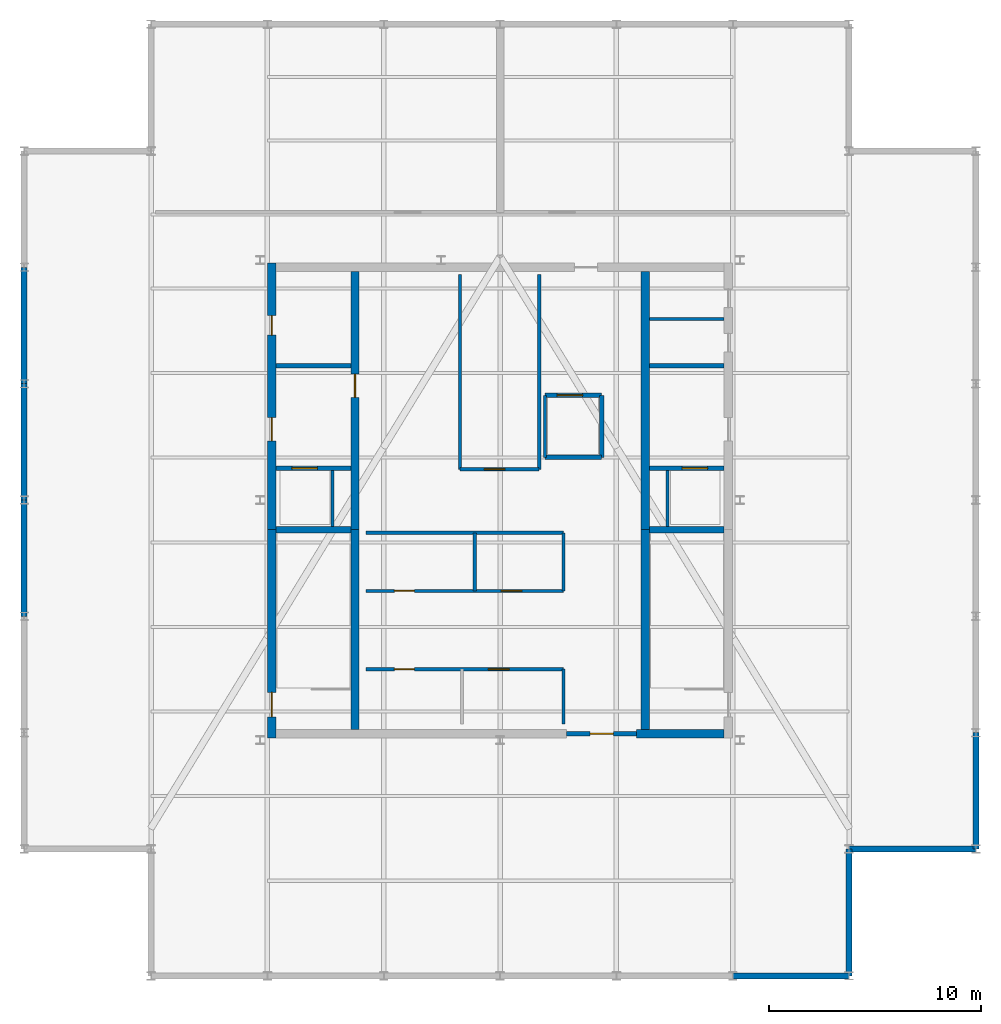
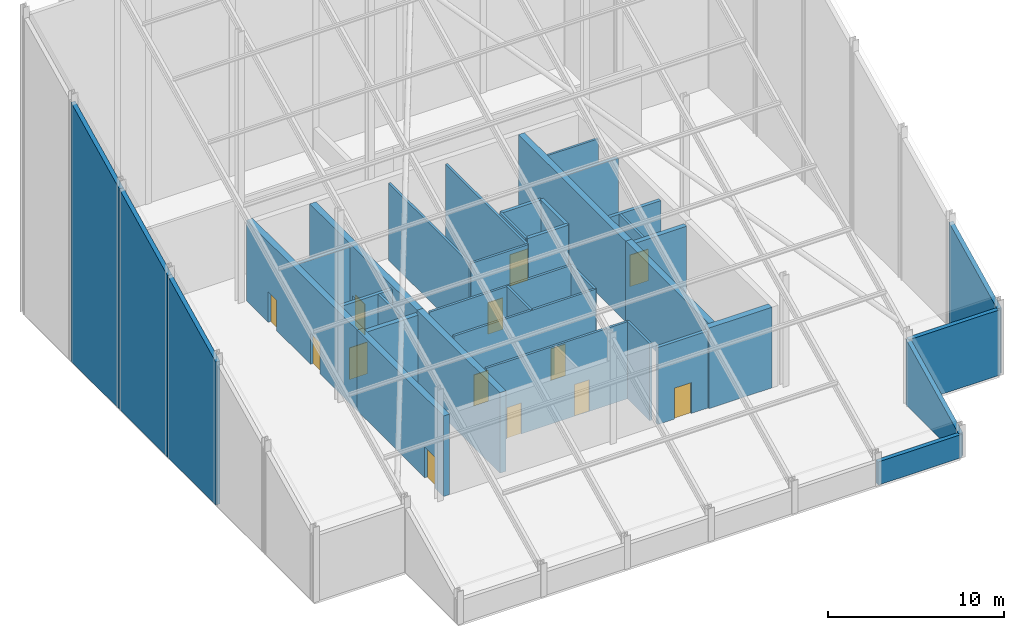
# One storey, part 2 of 4: 37 walls, 13 doors, 13 openings.
"""IFC4 building model written with IfcOpenShell, lengths in metres."""

import ifcopenshell
import ifcopenshell.guid

model = None  # the IFC model being written
_history = None  # IfcOwnerHistory: only IFC2X3 demands one
_inside = {}  # id of a spatial element -> (the spatial element, [elements in it])
_under = {}  # id of a project, library or spatial element -> (it, [spatial elements below it])
_declared = {}  # id of a project -> (the project, [libraries it declares])
_typed = {}  # id of a type object -> (the type object, [elements of that type])
_made_of = {}  # id of a material, layer set ... -> (it, [elements and type objects made of it])


def new_model(schema):
    """Start an empty IFC model of exactly this schema.

    Asked for "IFC4X3", IfcOpenShell would pick the latest addendum, in which some entities
    have other attributes; the version numbers below select the first issue.
    IFC2X3 requires an IfcOwnerHistory on every rooted entity: one is made here for all.
    """
    global model, _history
    if schema == "IFC4X3":
        model = ifcopenshell.file(schema_version=(4, 3, 0, 0))
    else:
        model = ifcopenshell.file(schema=schema)
    _inside.clear()
    _under.clear()
    _declared.clear()
    _typed.clear()
    _made_of.clear()
    _history = None
    if model.schema == "IFC2X3":
        org = make("IfcOrganization", Name="unknown")
        user = make(
            "IfcPersonAndOrganization",
            ThePerson=make("IfcPerson", FamilyName="unknown"),
            TheOrganization=org,
        )
        app = make(
            "IfcApplication",
            ApplicationDeveloper=org,
            Version="unknown",
            ApplicationFullName="unknown",
            ApplicationIdentifier="unknown",
        )
        _history = make(
            "IfcOwnerHistory",
            OwningUser=user,
            OwningApplication=app,
            ChangeAction="ADDED",
            CreationDate=0,
        )
    return model


def make(cls, **values):
    """One entity of the class cls with the attributes given. An attribute that is None is left unset."""
    return model.create_entity(
        cls, **{name: value for name, value in values.items() if value is not None}
    )


def rooted(cls, **values):
    """An entity with a GlobalId (a new one), such as an element, a storey or a relation."""
    return make(cls, GlobalId=ifcopenshell.guid.new(), OwnerHistory=_history, **values)


def si_unit(unit_type, name, prefix=None):
    """IfcSIUnit, for example si_unit("LENGTHUNIT", "METRE", prefix="MILLI")."""
    return make("IfcSIUnit", UnitType=unit_type, Prefix=prefix, Name=name)


def assignment(units):
    """IfcUnitAssignment: the units of a project."""
    return None if units is None else make("IfcUnitAssignment", Units=units)


def point(xyz):
    """IfcCartesianPoint."""
    return None if xyz is None else make("IfcCartesianPoint", Coordinates=xyz)


def direction(xyz):
    """IfcDirection."""
    return None if xyz is None else make("IfcDirection", DirectionRatios=xyz)


def frame(location, z_axis=None, x_axis=None):
    """IfcAxis2Placement3D, a coordinate frame: its origin and axes. An axis left out is left unset."""
    return make(
        "IfcAxis2Placement3D",
        Location=point(location),
        Axis=direction(z_axis),
        RefDirection=direction(x_axis),
    )


def frame_2d(location, x_axis=None):
    """IfcAxis2Placement2D, a coordinate frame in the plane: its origin and x axis."""
    return make(
        "IfcAxis2Placement2D", Location=point(location), RefDirection=direction(x_axis)
    )


def origin():
    """The frame at (0, 0, 0) with its axes left unset."""
    return frame((0.0, 0.0, 0.0))


def place(relative_to, where):
    """IfcLocalPlacement: puts the frame where relative to a parent placement (None: the world)."""
    return make(
        "IfcLocalPlacement", PlacementRelTo=relative_to, RelativePlacement=where
    )


def context(
    kind, dimensions, precision=None, world=None, true_north=None, identifier=None
):
    """IfcGeometricRepresentationContext, for example the 3D "Model" context."""
    return make(
        "IfcGeometricRepresentationContext",
        ContextIdentifier=identifier,
        ContextType=kind,
        CoordinateSpaceDimension=dimensions,
        Precision=precision,
        WorldCoordinateSystem=world,
        TrueNorth=true_north,
    )


def subcontext(parent, identifier, kind, view, scale=None):
    """IfcGeometricRepresentationSubContext, for example "Body" below "Model"."""
    return make(
        "IfcGeometricRepresentationSubContext",
        ContextIdentifier=identifier,
        ContextType=kind,
        ParentContext=parent,
        TargetScale=scale,
        TargetView=view,
    )


def project(units=None, contexts=None):
    """IfcProject with its units and contexts."""
    return rooted(
        "IfcProject",
        Name="project",
        RepresentationContexts=contexts,
        UnitsInContext=assignment(units),
    )


def spatial(cls, under=None, at=None, **own):
    """A site, building, storey or space (cls), placed at a placement, below another one or the project."""
    s = rooted(cls, ObjectPlacement=at, **own)
    if under is not None:
        _under.setdefault(under.id(), (under, []))[1].append(s)
    return s


def polyline(points):
    """IfcPolyline through the points."""
    return make("IfcPolyline", Points=[point(p) for p in points])


def profile(cls, at=None, kind="AREA", **sizes):
    """A parametric profile (cls). Its sizes go by their IFC names, for example OverallWidth=200.0."""
    return make(cls, ProfileType=kind, Position=at, **sizes)


def rectangle(**sizes):
    """IfcRectangleProfileDef."""
    return profile("IfcRectangleProfileDef", **sizes)


def outline(outer, holes=None, kind="AREA"):
    """IfcArbitraryClosedProfileDef: a profile drawn as a closed curve; with holes, ...WithVoids."""
    if holes is None:
        return make("IfcArbitraryClosedProfileDef", ProfileType=kind, OuterCurve=outer)
    return make(
        "IfcArbitraryProfileDefWithVoids",
        ProfileType=kind,
        OuterCurve=outer,
        InnerCurves=holes,
    )


def extrude(swept, where, along, depth):
    """IfcExtrudedAreaSolid: the profile swept, set in the frame where, extruded along a direction by depth."""
    return make(
        "IfcExtrudedAreaSolid",
        SweptArea=swept,
        Position=where,
        ExtrudedDirection=direction(along),
        Depth=depth,
    )


def shape(context_of_items, identifier, shape_type, items):
    """IfcShapeRepresentation: the items that make up one representation, for example the "Body"."""
    return make(
        "IfcShapeRepresentation",
        ContextOfItems=context_of_items,
        RepresentationIdentifier=identifier,
        RepresentationType=shape_type,
        Items=items,
    )


def material(Name=None, Category=None):
    """IfcMaterial."""
    return make("IfcMaterial", Name=Name, Category=Category)


def layer(
    of_material, thickness, ventilated=None, Name=None, Category=None, Priority=None
):
    """IfcMaterialLayer: one layer of a wall or slab, of a material (None: an air gap)."""
    return make(
        "IfcMaterialLayer",
        Material=of_material,
        LayerThickness=thickness,
        IsVentilated=ventilated,
        Name=Name,
        Category=Category,
        Priority=Priority,
    )


def layer_set(layers, Name=None):
    """IfcMaterialLayerSet."""
    return make("IfcMaterialLayerSet", MaterialLayers=layers, LayerSetName=Name)


def made_of(thing, what):
    """Note that an element or type object is made of a material, layer set ...; save() writes the relation."""
    if what is not None:
        _made_of.setdefault(what.id(), (what, []))[1].append(thing)
    return thing


def type_object(cls, material=None, **own):
    """A type object (cls), such as IfcWallType, which elements share."""
    return made_of(rooted(cls, **own), material)


def element(
    cls,
    number,
    at=None,
    inside=None,
    cuts=None,
    type_object=None,
    material=None,
    context=None,
    identifier="Body",
    shape_type=None,
    held_by="IfcProductDefinitionShape",
    body=None,
    shapes=None,
    **own,
):
    """One element of the class cls, such as IfcWall. Its Tag is "e" and its number.

    at: its placement. inside: the storey or other place that contains it. cuts: it is an
    opening in that element (IfcRelVoidsElement). A single representation is given by context,
    identifier, shape_type and body (its items); several are given by shapes. held_by: the class
    of the entity that holds the representations. save() writes the other relations.
    """
    e = rooted(cls, Tag="e%d" % number, ObjectPlacement=at, **own)
    if body is not None:
        shapes = [shape(context, identifier, shape_type, body)]
    if shapes is not None:
        e.Representation = make(held_by, Representations=shapes)
    if inside is not None:
        _inside.setdefault(inside.id(), (inside, []))[1].append(e)
    if cuts is not None:
        rooted(
            "IfcRelVoidsElement", RelatingBuildingElement=cuts, RelatedOpeningElement=e
        )
    if type_object is not None:
        _typed.setdefault(type_object.id(), (type_object, []))[1].append(e)
    return made_of(e, material)


def fill(opening, filler):
    """IfcRelFillsElement: the door or window that sits in an opening."""
    return rooted(
        "IfcRelFillsElement",
        RelatingOpeningElement=opening,
        RelatedBuildingElement=filler,
    )


def aggregate(whole, parts):
    """IfcRelAggregates: a whole, such as a stair, and the parts it consists of."""
    return rooted("IfcRelAggregates", RelatingObject=whole, RelatedObjects=parts)


def save(model, path):
    """Write the relations noted so far, then the file.

    IfcRelAggregates (storeys below a building ...), IfcRelContainedInSpatialStructure (elements
    in a storey), IfcRelDefinesByType, IfcRelAssociatesMaterial and IfcRelDeclares: one each for
    every whole, place, type object, material and project.
    """
    for whole, parts in _under.values():
        aggregate(whole, parts)
    for where, things in _inside.values():
        rooted(
            "IfcRelContainedInSpatialStructure",
            RelatedElements=things,
            RelatingStructure=where,
        )
    for kind, things in _typed.values():
        rooted("IfcRelDefinesByType", RelatedObjects=things, RelatingType=kind)
    for what, things in _made_of.values():
        rooted("IfcRelAssociatesMaterial", RelatedObjects=things, RelatingMaterial=what)
    for by, libraries in _declared.values():
        rooted("IfcRelDeclares", RelatingContext=by, RelatedDefinitions=libraries)
    model.write(path)


model = new_model("IFC4")

# Units and contexts
model_context = context("Model", 3, precision=1e-05, world=origin(), true_north=direction((0.0, 1.0)))
body_context = subcontext(model_context, "Body", "Model", "MODEL_VIEW")
ifc_project = project(units=[si_unit("LENGTHUNIT", "METRE"), si_unit("AREAUNIT", "SQUARE_METRE"), si_unit("VOLUMEUNIT", "CUBIC_METRE"), si_unit("PLANEANGLEUNIT", "RADIAN"), si_unit("MASSUNIT", "GRAM", prefix="KILO")], contexts=[model_context])

# Site, building, storey
site_placement = place(None, origin())
site = spatial("IfcSite", under=ifc_project, at=site_placement, CompositionType="ELEMENT")
building_placement = place(site_placement, origin())
building = spatial("IfcBuilding", under=site, at=building_placement, Name="Nhamokura Convention Tower", CompositionType="ELEMENT")
storey_placement = place(building_placement, frame((0.0, 0.0, 331.449951171875)))
storey = spatial("IfcBuildingStorey", under=building, at=storey_placement, Name="L81", CompositionType="ELEMENT", Elevation=331.449951171875)

# Walls
ifc_material_1 = material(Name="Moisture-resistant tile-backer partition", Category="masonry")
ifc_layer_1 = layer(ifc_material_1, 0.139892578125)
ifc_layer_set_1 = layer_set([ifc_layer_1], Name="BathroomWetWall_140")
wall_type_1 = type_object("IfcWallType", Name="BathroomWetWall_140", PredefinedType="STANDARD", material=ifc_layer_set_1)
wall_1_placement = place(storey_placement, frame((39.06005859375, 40.550048828125, 0.0), z_axis=(0.0, 0.0, 1.0), x_axis=(1.0, 0.0, 0.0)))
element("IfcWall", 1, at=wall_1_placement, inside=storey, type_object=wall_type_1, Name="L81 Wall INT-L81-CWNE", PredefinedType="STANDARD", context=body_context, shape_type="SweptSolid", body=[
    extrude(rectangle(XDim=3.530029296875, YDim=0.139892578125, at=frame_2d((1.76513671875, 0.0))), origin(), (0.0, 0.0, 1.0), 5.35009765625),
])
ifc_material_2 = material(Name="Bronze-pigmented precast concrete C45/55", Category="concrete")
ifc_layer_2 = layer(ifc_material_2, 0.280029296875)
ifc_layer_set_2 = layer_set([ifc_layer_2], Name="BronzePrecastSpandrel_280")
wall_type_2 = type_object("IfcWallType", Name="BronzePrecastSpandrel_280", PredefinedType="USERDEFINED", material=ifc_layer_set_2)
wall_2_placement = place(storey_placement, frame((48.5, 9.5, 0.0), z_axis=(0.0, 0.0, 1.0), x_axis=(-1.0, 0.0, 0.0)))
element("IfcWall", 2, at=wall_2_placement, inside=storey, type_object=wall_type_2, Name="L81 Crown Wall SOUTH 5", ObjectType="SPANDREL_WALL", PredefinedType="USERDEFINED", context=body_context, shape_type="SweptSolid", body=[
    extrude(rectangle(XDim=5.5, YDim=0.280029296875, at=frame_2d((2.75, 0.0))), origin(), (0.0, 0.0, 1.0), 1.610107421875),
])
wall_3_placement = place(storey_placement, frame((9.5, 26.5, 0.0), z_axis=(0.0, 0.0, 1.0), x_axis=(0.0, 1.0, 0.0)))
element("IfcWall", 3, at=wall_3_placement, inside=storey, type_object=wall_type_2, Name="L81 Slanted Crown Wall WEST 2", ObjectType="SPANDREL_WALL", PredefinedType="USERDEFINED", context=body_context, shape_type="SweptSolid", body=[
    extrude(outline(polyline([(0.0, 0.0), (5.5, 0.0), (5.5, 12.610107421875), (0.0, 9.921142578125), (0.0, 0.0)])), frame((0.0, 0.14013671875, 0.0), z_axis=(0.0, -1.0, 0.0), x_axis=(1.0, 0.0, 0.0)), (0.0, 0.0, 1.0), 0.280029296875),
])
wall_4_placement = place(storey_placement, frame((9.5, 32.0, 0.0), z_axis=(0.0, 0.0, 1.0), x_axis=(0.0, 1.0, 0.0)))
element("IfcWall", 4, at=wall_4_placement, inside=storey, type_object=wall_type_2, Name="L81 Slanted Crown Wall WEST 3", ObjectType="SPANDREL_WALL", PredefinedType="USERDEFINED", context=body_context, shape_type="SweptSolid", body=[
    extrude(outline(polyline([(0.0, 0.0), (5.5, 0.0), (5.5, 15.298828125), (0.0, 12.610107421875), (0.0, 0.0)])), frame((0.0, 0.14013671875, 0.0), z_axis=(0.0, -1.0, 0.0), x_axis=(1.0, 0.0, 0.0)), (0.0, 0.0, 1.0), 0.280029296875),
])
wall_5_placement = place(storey_placement, frame((9.5, 37.5, 0.0), z_axis=(0.0, 0.0, 1.0), x_axis=(0.0, 1.0, 0.0)))
element("IfcWall", 5, at=wall_5_placement, inside=storey, type_object=wall_type_2, Name="L81 Slanted Crown Wall WEST 4", ObjectType="SPANDREL_WALL", PredefinedType="USERDEFINED", context=body_context, shape_type="SweptSolid", body=[
    extrude(outline(polyline([(0.0, 0.0), (5.5, 0.0), (5.5, 17.98779296875), (0.0, 15.298828125), (0.0, 0.0)])), frame((0.0, 0.14013671875, 0.0), z_axis=(0.0, -1.0, 0.0), x_axis=(1.0, 0.0, 0.0)), (0.0, 0.0, 1.0), 0.280029296875),
])
wall_6_placement = place(storey_placement, frame((54.5, 21.0, 0.0), z_axis=(0.0, 0.0, 1.0), x_axis=(0.0, -1.0, 0.0)))
element("IfcWall", 6, at=wall_6_placement, inside=storey, type_object=wall_type_2, Name="L81 Slanted Crown Wall EAST 0", ObjectType="SPANDREL_WALL", PredefinedType="USERDEFINED", context=body_context, shape_type="SweptSolid", body=[
    extrude(outline(polyline([(0.0, 0.0), (5.5, 0.0), (5.5, 4.54345703125), (0.0, 7.232177734375), (0.0, 0.0)])), frame((0.0, 0.14013671875, 0.0), z_axis=(0.0, -1.0, 0.0), x_axis=(1.0, 0.0, 0.0)), (0.0, 0.0, 1.0), 0.280029296875),
])
wall_7_placement = place(storey_placement, frame((48.5, 15.5, 0.0), z_axis=(0.0, 0.0, 1.0), x_axis=(0.0, -1.0, 0.0)))
element("IfcWall", 7, at=wall_7_placement, inside=storey, type_object=wall_type_2, Name="L81 Crown Notch Wall SE1", ObjectType="SPANDREL_WALL", PredefinedType="USERDEFINED", context=body_context, shape_type="SweptSolid", body=[
    extrude(outline(polyline([(0.0, 0.0), (6.0, 0.0), (6.0, 1.610107421875), (0.0, 4.54345703125), (0.0, 0.0)])), frame((0.0, 0.14013671875, 0.0), z_axis=(0.0, -1.0, 0.0), x_axis=(1.0, 0.0, 0.0)), (0.0, 0.0, 1.0), 0.280029296875),
])
wall_8_placement = place(storey_placement, frame((54.5, 15.5, 0.0), z_axis=(0.0, 0.0, 1.0), x_axis=(-1.0, 0.0, 0.0)))
element("IfcWall", 8, at=wall_8_placement, inside=storey, type_object=wall_type_2, Name="L81 Crown Notch Wall SE2", ObjectType="SPANDREL_WALL", PredefinedType="USERDEFINED", context=body_context, shape_type="SweptSolid", body=[
    extrude(rectangle(XDim=6.0, YDim=0.280029296875, at=frame_2d((3.0, 0.0))), origin(), (0.0, 0.0, 1.0), 4.54345703125),
])

# Wall, opening, door
ifc_material_3 = material(Name="Concrete C50/60", Category="concrete")
ifc_layer_3 = layer(ifc_material_3, 0.39990234375)
ifc_layer_set_3 = layer_set([ifc_layer_3], Name="CoreShearWall_400")
wall_type_3 = type_object("IfcWallType", Name="CoreShearWall_400", PredefinedType="SHEAR", material=ifc_layer_set_3)
wall_9_placement = place(storey_placement, frame((21.2099609375, 20.75, 0.0), z_axis=(0.0, 0.0, 1.0), x_axis=(0.0, 1.0, 0.0)))
wall_9 = element("IfcWall", 9, at=wall_9_placement, inside=storey, type_object=wall_type_3, Name="L81 Core Shear Wall CW-WS", PredefinedType="SHEAR", context=body_context, shape_type="SweptSolid", body=[
    extrude(rectangle(XDim=9.85009765625, YDim=0.39990234375, at=frame_2d((4.925048828125, 0.0))), origin(), (0.0, 0.0, 1.0), 5.60009765625),
])
opening_1_placement = place(wall_9_placement, frame((1.0, 0.0, 0.0)))
opening_1 = element("IfcOpeningElement", 10, at=opening_1_placement, cuts=wall_9, Name="Opening D-04", PredefinedType="OPENING", context=body_context, shape_type="SweptSolid", body=[
    extrude(rectangle(XDim=1.14990234375, YDim=2.14990234375, at=frame_2d((0.574951171875, 1.074951171875))), frame((0.0, 0.2099609375, 0.0), z_axis=(0.0, -1.0, 0.0), x_axis=(1.0, 0.0, 0.0)), (0.0, 0.0, 1.0), 0.419921875),
])
ifc_material_4 = material(Name="Fire-rated steel door", Category="steel")
door_type_1 = type_object("IfcDoorType", Name="StairSmokeDoor_1150", OperationType="NOTDEFINED", PredefinedType="DOOR", material=ifc_material_4)
door_1_placement = place(opening_1_placement, origin())
door_1 = element("IfcDoor", 11, at=door_1_placement, inside=storey, type_object=door_type_1, Name="L81 Core Door INT-L81-D-ST01", OperationType="SINGLE_SWING_LEFT", OverallHeight=2.14990234375, OverallWidth=1.14990234375, PredefinedType="DOOR", context=body_context, shape_type="SweptSolid", body=[
    extrude(rectangle(XDim=1.14990234375, YDim=2.14990234375, at=frame_2d((0.574951171875, 1.074951171875))), frame((0.0, 0.02490234375, 0.0), z_axis=(0.0, -1.0, 0.0), x_axis=(1.0, 0.0, 0.0)), (0.0, 0.0, 1.0), 0.050048828125),
])
fill(opening_1, door_1)

# Wall, openings, doors
wall_10_placement = place(storey_placement, frame((21.2099609375, 30.60009765625, 0.0), z_axis=(0.0, 0.0, 1.0), x_axis=(0.0, 1.0, 0.0)))
wall_10 = element("IfcWall", 12, at=wall_10_placement, inside=storey, type_object=wall_type_3, Name="L81 Core Shear Wall CW-WN", PredefinedType="SHEAR", context=body_context, shape_type="SweptSolid", body=[
    extrude(rectangle(XDim=12.599853515625, YDim=0.39990234375, at=frame_2d((6.2998046875, 0.0))), origin(), (0.0, 0.0, 1.0), 5.60009765625),
])
opening_2_placement = place(wall_10_placement, frame((4.199951171875, 0.0, 0.0)))
opening_2 = element("IfcOpeningElement", 13, at=opening_2_placement, cuts=wall_10, Name="Opening D-05", PredefinedType="OPENING", context=body_context, shape_type="SweptSolid", body=[
    extrude(rectangle(XDim=1.10009765625, YDim=2.14990234375, at=frame_2d((0.550048828125, 1.074951171875))), frame((0.0, 0.2099609375, 0.0), z_axis=(0.0, -1.0, 0.0), x_axis=(1.0, 0.0, 0.0)), (0.0, 0.0, 1.0), 0.419921875),
])
opening_3_placement = place(wall_10_placement, frame((9.199951171875, 0.0, 0.0)))
opening_3 = element("IfcOpeningElement", 14, at=opening_3_placement, cuts=wall_10, Name="Opening D-10", PredefinedType="OPENING", context=body_context, shape_type="SweptSolid", body=[
    extrude(rectangle(XDim=0.919921875, YDim=2.10009765625, at=frame_2d((0.4599609375, 1.050048828125))), frame((0.0, 0.2099609375, 0.0), z_axis=(0.0, -1.0, 0.0), x_axis=(1.0, 0.0, 0.0)), (0.0, 0.0, 1.0), 0.419921875),
])
ifc_material_5 = material(Name="Solid oak hardwood", Category="wood")
door_type_2 = type_object("IfcDoorType", Name="AccessibleWCDoor_920", OperationType="NOTDEFINED", PredefinedType="DOOR", material=ifc_material_5)
door_2_placement = place(opening_3_placement, origin())
door_2 = element("IfcDoor", 15, at=door_2_placement, inside=storey, type_object=door_type_2, Name="L81 Core Door INT-L81-D-AWC", OperationType="SINGLE_SWING_LEFT", OverallHeight=2.10009765625, OverallWidth=0.919921875, PredefinedType="DOOR", context=body_context, shape_type="SweptSolid", body=[
    extrude(rectangle(XDim=0.919921875, YDim=2.10009765625, at=frame_2d((0.4599609375, 1.050048828125))), frame((0.0, 0.02490234375, 0.0), z_axis=(0.0, -1.0, 0.0), x_axis=(1.0, 0.0, 0.0)), (0.0, 0.0, 1.0), 0.050048828125),
])
fill(opening_3, door_2)
ifc_material_6 = material(Name="Fire-rated steel door", Category="steel")
door_type_3 = type_object("IfcDoorType", Name="FireLobbyDoor_1100", OperationType="NOTDEFINED", PredefinedType="DOOR", material=ifc_material_6)
door_3_placement = place(opening_2_placement, origin())
door_3 = element("IfcDoor", 16, at=door_3_placement, inside=storey, type_object=door_type_3, Name="L81 Core Door INT-L81-D-FFLW", OperationType="SINGLE_SWING_RIGHT", OverallHeight=2.14990234375, OverallWidth=1.10009765625, PredefinedType="DOOR", context=body_context, shape_type="SweptSolid", body=[
    extrude(rectangle(XDim=1.10009765625, YDim=2.14990234375, at=frame_2d((0.550048828125, 1.074951171875))), frame((0.0, 0.02490234375, 0.0), z_axis=(0.0, -1.0, 0.0), x_axis=(1.0, 0.0, 0.0)), (0.0, 0.0, 1.0), 0.050048828125),
])
fill(opening_2, door_3)

# Walls
wall_11_placement = place(storey_placement, frame((38.449951171875, 20.949951171875, 0.0), z_axis=(0.0, 0.0, 1.0), x_axis=(1.0, 0.0, 0.0)))
element("IfcWall", 17, at=wall_11_placement, inside=storey, type_object=wall_type_3, Name="L81 Core Shear Wall CW-S2", PredefinedType="SHEAR", context=body_context, shape_type="SweptSolid", body=[
    extrude(rectangle(XDim=4.14013671875, YDim=0.39990234375, at=frame_2d((2.070068359375, 0.0))), origin(), (0.0, 0.0, 1.0), 5.60009765625),
])
wall_12_placement = place(storey_placement, frame((25.139892578125, 21.14990234375, 0.0), z_axis=(0.0, 0.0, 1.0), x_axis=(0.0, 1.0, 0.0)))
element("IfcWall", 18, at=wall_12_placement, inside=storey, type_object=wall_type_3, Name="L81 Core Shear Wall CW-IWS", PredefinedType="SHEAR", context=body_context, shape_type="SweptSolid", body=[
    extrude(rectangle(XDim=9.4501953125, YDim=0.39990234375, at=frame_2d((4.72509765625, 0.0))), origin(), (0.0, 0.0, 1.0), 5.60009765625),
])

# Wall, opening, door
wall_13_placement = place(storey_placement, frame((25.139892578125, 30.60009765625, 0.0), z_axis=(0.0, 0.0, 1.0), x_axis=(0.0, 1.0, 0.0)))
wall_13 = element("IfcWall", 19, at=wall_13_placement, inside=storey, type_object=wall_type_3, Name="L81 Core Shear Wall CW-IWN", PredefinedType="SHEAR", context=body_context, shape_type="SweptSolid", body=[
    extrude(rectangle(XDim=12.199951171875, YDim=0.39990234375, at=frame_2d((6.10009765625, 0.0))), origin(), (0.0, 0.0, 1.0), 5.60009765625),
])
opening_4_placement = place(wall_13_placement, frame((6.25, 0.0, 0.0)))
opening_4 = element("IfcOpeningElement", 20, at=opening_4_placement, cuts=wall_13, Name="Opening D-05", PredefinedType="OPENING", context=body_context, shape_type="SweptSolid", body=[
    extrude(rectangle(XDim=1.10009765625, YDim=2.14990234375, at=frame_2d((0.550048828125, 1.074951171875))), frame((0.0, 0.2099609375, 0.0), z_axis=(0.0, -1.0, 0.0), x_axis=(1.0, 0.0, 0.0)), (0.0, 0.0, 1.0), 0.419921875),
])
door_4_placement = place(opening_4_placement, origin())
door_4 = element("IfcDoor", 21, at=door_4_placement, inside=storey, type_object=door_type_3, Name="L81 Core Door INT-L81-D-B3LOB", OperationType="SINGLE_SWING_LEFT", OverallHeight=2.14990234375, OverallWidth=1.10009765625, PredefinedType="DOOR", context=body_context, shape_type="SweptSolid", body=[
    extrude(rectangle(XDim=1.10009765625, YDim=2.14990234375, at=frame_2d((0.550048828125, 1.074951171875))), frame((0.0, 0.02490234375, 0.0), z_axis=(0.0, -1.0, 0.0), x_axis=(1.0, 0.0, 0.0)), (0.0, 0.0, 1.0), 0.050048828125),
])
fill(opening_4, door_4)

# Walls
wall_14_placement = place(storey_placement, frame((38.860107421875, 21.14990234375, 0.0), z_axis=(0.0, 0.0, 1.0), x_axis=(0.0, 1.0, 0.0)))
element("IfcWall", 22, at=wall_14_placement, inside=storey, type_object=wall_type_3, Name="L81 Core Shear Wall CW-IES", PredefinedType="SHEAR", context=body_context, shape_type="SweptSolid", body=[
    extrude(rectangle(XDim=9.4501953125, YDim=0.39990234375, at=frame_2d((4.72509765625, 0.0))), origin(), (0.0, 0.0, 1.0), 5.60009765625),
])
wall_15_placement = place(storey_placement, frame((38.860107421875, 30.60009765625, 0.0), z_axis=(0.0, 0.0, 1.0), x_axis=(0.0, 1.0, 0.0)))
element("IfcWall", 23, at=wall_15_placement, inside=storey, type_object=wall_type_3, Name="L81 Core Shear Wall CW-IEN", PredefinedType="SHEAR", context=body_context, shape_type="SweptSolid", body=[
    extrude(rectangle(XDim=12.199951171875, YDim=0.39990234375, at=frame_2d((6.10009765625, 0.0))), origin(), (0.0, 0.0, 1.0), 5.60009765625),
])

# Wall, opening, door
ifc_material_7 = material(Name="Autoclaved concrete blockwork", Category="masonry")
ifc_layer_4 = layer(ifc_material_7, 0.219970703125)
ifc_layer_set_4 = layer_set([ifc_layer_4], Name="FireLobbyWall_220")
wall_type_4 = type_object("IfcWallType", Name="FireLobbyWall_220", PredefinedType="STANDARD", material=ifc_layer_set_4)
wall_16_placement = place(storey_placement, frame((21.409912109375, 33.5, 0.0), z_axis=(0.0, 0.0, 1.0), x_axis=(1.0, 0.0, 0.0)))
wall_16 = element("IfcWall", 24, at=wall_16_placement, inside=storey, type_object=wall_type_4, Name="L81 Wall INT-L81-FFW-S", PredefinedType="STANDARD", context=body_context, shape_type="SweptSolid", body=[
    extrude(rectangle(XDim=3.530029296875, YDim=0.219970703125, at=frame_2d((1.76513671875, 0.0))), origin(), (0.0, 0.0, 1.0), 5.35009765625),
])
opening_5_placement = place(wall_16_placement, frame((0.75, 0.0, 0.0)))
opening_5 = element("IfcOpeningElement", 25, at=opening_5_placement, cuts=wall_16, Name="Opening LD-02", PredefinedType="OPENING", context=body_context, shape_type="SweptSolid", body=[
    extrude(rectangle(XDim=1.199951171875, YDim=2.199951171875, at=frame_2d((0.60009765625, 1.10009765625))), frame((0.0, 0.119873046875, 0.0), z_axis=(0.0, -1.0, 0.0), x_axis=(1.0, 0.0, 0.0)), (0.0, 0.0, 1.0), 0.239990234375),
])
ifc_material_8 = material(Name="Anodised bronze stainless steel", Category="steel")
door_type_4 = type_object("IfcDoorType", Name="LiftLandingDoor_FireService", OperationType="DOUBLE_DOOR_SLIDING", PredefinedType="DOOR", material=ifc_material_8)
door_5_placement = place(opening_5_placement, origin())
door_5 = element("IfcDoor", 26, at=door_5_placement, inside=storey, type_object=door_type_4, Name="L81 Firefighting Lift LF-01 Door", OperationType="DOUBLE_DOOR_SLIDING", OverallHeight=2.199951171875, OverallWidth=1.199951171875, PredefinedType="DOOR", context=body_context, shape_type="SweptSolid", body=[
    extrude(rectangle(XDim=1.199951171875, YDim=2.199951171875, at=frame_2d((0.60009765625, 1.10009765625))), frame((0.0, 0.02490234375, 0.0), z_axis=(0.0, -1.0, 0.0), x_axis=(1.0, 0.0, 0.0)), (0.0, 0.0, 1.0), 0.050048828125),
])
fill(opening_5, door_5)

wall_17_placement = place(storey_placement, frame((39.06005859375, 33.5, 0.0), z_axis=(0.0, 0.0, 1.0), x_axis=(1.0, 0.0, 0.0)))
wall_17 = element("IfcWall", 27, at=wall_17_placement, inside=storey, type_object=wall_type_4, Name="L81 Wall INT-L81-FFE-S", PredefinedType="STANDARD", context=body_context, shape_type="SweptSolid", body=[
    extrude(rectangle(XDim=3.530029296875, YDim=0.219970703125, at=frame_2d((1.76513671875, 0.0))), origin(), (0.0, 0.0, 1.0), 5.35009765625),
])
opening_6_placement = place(wall_17_placement, frame((1.550048828125, 0.0, 0.0)))
opening_6 = element("IfcOpeningElement", 28, at=opening_6_placement, cuts=wall_17, Name="Opening LD-02", PredefinedType="OPENING", context=body_context, shape_type="SweptSolid", body=[
    extrude(rectangle(XDim=1.199951171875, YDim=2.199951171875, at=frame_2d((0.60009765625, 1.10009765625))), frame((0.0, 0.119873046875, 0.0), z_axis=(0.0, -1.0, 0.0), x_axis=(1.0, 0.0, 0.0)), (0.0, 0.0, 1.0), 0.239990234375),
])
door_6_placement = place(opening_6_placement, origin())
door_6 = element("IfcDoor", 29, at=door_6_placement, inside=storey, type_object=door_type_4, Name="L81 Firefighting Lift LF-02 Door", OperationType="DOUBLE_DOOR_SLIDING", OverallHeight=2.199951171875, OverallWidth=1.199951171875, PredefinedType="DOOR", context=body_context, shape_type="SweptSolid", body=[
    extrude(rectangle(XDim=1.199951171875, YDim=2.199951171875, at=frame_2d((0.60009765625, 1.10009765625))), frame((0.0, 0.02490234375, 0.0), z_axis=(0.0, -1.0, 0.0), x_axis=(1.0, 0.0, 0.0)), (0.0, 0.0, 1.0), 0.050048828125),
])
fill(opening_6, door_6)

# Walls
for number, where, z_axis, x_axis, name in (
    (30, (21.409912109375, 38.35009765625, 0.0), (0.0, 0.0, 1.0), (1.0, 0.0, 0.0), "L81 Wall INT-L81-FFW-N"),
    (31, (39.06005859375, 38.35009765625, 0.0), (0.0, 0.0, 1.0), (1.0, 0.0, 0.0), "L81 Wall INT-L81-FFE-N"),
):
    element("IfcWall", number, at=place(storey_placement, frame(where, z_axis=z_axis, x_axis=x_axis)), inside=storey, type_object=wall_type_4, Name=name, PredefinedType="STANDARD", context=body_context, shape_type="SweptSolid", body=[
        extrude(rectangle(XDim=3.530029296875, YDim=0.219970703125, at=frame_2d((1.76513671875, 0.0))), origin(), (0.0, 0.0, 1.0), 5.35009765625),
    ])

# Wall, opening, door
wall_18_placement = place(storey_placement, frame((35.14990234375, 20.949951171875, 0.0), z_axis=(0.0, 0.0, 1.0), x_axis=(1.0, 0.0, 0.0)))
wall_18 = element("IfcWall", 32, at=wall_18_placement, inside=storey, type_object=wall_type_4, Name="L81 Wall INT-L81-SPORT-S", PredefinedType="STANDARD", context=body_context, shape_type="SweptSolid", body=[
    extrude(rectangle(XDim=3.300048828125, YDim=0.219970703125, at=frame_2d((1.64990234375, 0.0))), origin(), (0.0, 0.0, 1.0), 5.35009765625),
])
opening_7_placement = place(wall_18_placement, frame((1.10009765625, 0.0, 0.0)))
opening_7 = element("IfcOpeningElement", 33, at=opening_7_placement, cuts=wall_18, Name="Opening D-05", PredefinedType="OPENING", context=body_context, shape_type="SweptSolid", body=[
    extrude(rectangle(XDim=1.10009765625, YDim=2.14990234375, at=frame_2d((0.550048828125, 1.074951171875))), frame((0.0, 0.119873046875, 0.0), z_axis=(0.0, -1.0, 0.0), x_axis=(1.0, 0.0, 0.0)), (0.0, 0.0, 1.0), 0.239990234375),
])
door_7_placement = place(opening_7_placement, origin())
door_7 = element("IfcDoor", 34, at=door_7_placement, inside=storey, type_object=door_type_3, Name="L81 South Core Lobby Portal Door", OperationType="SINGLE_SWING_LEFT", OverallHeight=2.14990234375, OverallWidth=1.10009765625, PredefinedType="DOOR", context=body_context, shape_type="SweptSolid", body=[
    extrude(rectangle(XDim=1.10009765625, YDim=2.14990234375, at=frame_2d((0.550048828125, 1.074951171875))), frame((0.0, 0.02490234375, 0.0), z_axis=(0.0, -1.0, 0.0), x_axis=(1.0, 0.0, 0.0)), (0.0, 0.0, 1.0), 0.050048828125),
])
fill(opening_7, door_7)

wall_19_placement = place(storey_placement, frame((34.1201171875, 36.949951171875, 0.0), z_axis=(0.0, 0.0, 1.0), x_axis=(1.0, 0.0, 0.0)))
wall_19 = element("IfcWall", 35, at=wall_19_placement, inside=storey, type_object=wall_type_4, Name="L81 Wall INT-L81-LSN", PredefinedType="STANDARD", context=body_context, shape_type="SweptSolid", body=[
    extrude(rectangle(XDim=2.679931640625, YDim=0.219970703125, at=frame_2d((1.33984375, 0.0))), origin(), (0.0, 0.0, 1.0), 5.35009765625),
])
opening_8_placement = place(wall_19_placement, frame((0.580078125, 0.0, 0.0)))
opening_8 = element("IfcOpeningElement", 36, at=opening_8_placement, cuts=wall_19, Name="Opening LD-02", PredefinedType="OPENING", context=body_context, shape_type="SweptSolid", body=[
    extrude(rectangle(XDim=1.199951171875, YDim=2.199951171875, at=frame_2d((0.60009765625, 1.10009765625))), frame((0.0, 0.119873046875, 0.0), z_axis=(0.0, -1.0, 0.0), x_axis=(1.0, 0.0, 0.0)), (0.0, 0.0, 1.0), 0.239990234375),
])
door_8_placement = place(opening_8_placement, origin())
door_8 = element("IfcDoor", 37, at=door_8_placement, inside=storey, type_object=door_type_4, Name="L81 Service Lift LS-01 Door", OperationType="DOUBLE_DOOR_SLIDING", OverallHeight=2.199951171875, OverallWidth=1.199951171875, PredefinedType="DOOR", context=body_context, shape_type="SweptSolid", body=[
    extrude(rectangle(XDim=1.199951171875, YDim=2.199951171875, at=frame_2d((0.60009765625, 1.10009765625))), frame((0.0, 0.02490234375, 0.0), z_axis=(0.0, -1.0, 0.0), x_axis=(1.0, 0.0, 0.0)), (0.0, 0.0, 1.0), 0.050048828125),
])
fill(opening_8, door_8)

# Walls
wall_20_placement = place(storey_placement, frame((36.800048828125, 34.02001953125, 0.0), z_axis=(0.0, 0.0, 1.0), x_axis=(0.0, 1.0, 0.0)))
element("IfcWall", 38, at=wall_20_placement, inside=storey, type_object=wall_type_4, Name="L81 Wall INT-L81-LSE", PredefinedType="STANDARD", context=body_context, shape_type="SweptSolid", body=[
    extrude(rectangle(XDim=2.929931640625, YDim=0.219970703125, at=frame_2d((1.46484375, 0.0))), origin(), (0.0, 0.0, 1.0), 5.35009765625),
])
wall_21_placement = place(storey_placement, frame((34.1201171875, 34.02001953125, 0.0), z_axis=(0.0, 0.0, 1.0), x_axis=(1.0, 0.0, 0.0)))
element("IfcWall", 39, at=wall_21_placement, inside=storey, type_object=wall_type_4, Name="L81 Wall INT-L81-LSS", PredefinedType="STANDARD", context=body_context, shape_type="SweptSolid", body=[
    extrude(rectangle(XDim=2.679931640625, YDim=0.219970703125, at=frame_2d((1.33984375, 0.0))), origin(), (0.0, 0.0, 1.0), 5.35009765625),
])
ifc_material_9 = material(Name="Acoustic gypsum stud partition", Category="masonry")
ifc_layer_5 = layer(ifc_material_9, 0.14990234375)
ifc_layer_set_5 = layer_set([ifc_layer_5], Name="InteriorPartition_150")
wall_type_5 = type_object("IfcWallType", Name="InteriorPartition_150", PredefinedType="STANDARD", material=ifc_layer_set_5)
for number, where, z_axis, x_axis, name in (
    (40, (24.080078125, 30.75, 0.0), (0.0, 0.0, 1.0), (0.0, 1.0, 0.0), "L81 Wall INT-L81-FF1-E"),
    (41, (39.919921875, 30.75, 0.0), (0.0, 0.0, 1.0), (0.0, 1.0, 0.0), "L81 Wall INT-L81-FF2-W"),
):
    element("IfcWall", number, at=place(storey_placement, frame(where, z_axis=z_axis, x_axis=x_axis)), inside=storey, type_object=wall_type_5, Name=name, PredefinedType="STANDARD", context=body_context, shape_type="SweptSolid", body=[
        extrude(rectangle(XDim=2.64990234375, YDim=0.14990234375, at=frame_2d((1.324951171875, 0.0))), origin(), (0.0, 0.0, 1.0), 5.35009765625),
    ])

# Wall, openings, doors
wall_22_placement = place(storey_placement, frame((25.64990234375, 24.0, 0.0), z_axis=(0.0, 0.0, 1.0), x_axis=(1.0, 0.0, 0.0)))
wall_22 = element("IfcWall", 42, at=wall_22_placement, inside=storey, type_object=wall_type_5, Name="L81 Wall INT-L81-B1R-N", PredefinedType="STANDARD", context=body_context, shape_type="SweptSolid", body=[
    extrude(rectangle(XDim=9.35009765625, YDim=0.14990234375, at=frame_2d((4.675048828125, 0.0))), origin(), (0.0, 0.0, 1.0), 5.35009765625),
])
opening_9_placement = place(wall_22_placement, frame((1.35009765625, 0.0, 0.0)))
opening_9 = element("IfcOpeningElement", 43, at=opening_9_placement, cuts=wall_22, Name="Opening D-09", PredefinedType="OPENING", context=body_context, shape_type="SweptSolid", body=[
    extrude(rectangle(XDim=0.949951171875, YDim=2.14990234375, at=frame_2d((0.47509765625, 1.074951171875))), frame((0.0, 0.0849609375, 0.0), z_axis=(0.0, -1.0, 0.0), x_axis=(1.0, 0.0, 0.0)), (0.0, 0.0, 1.0), 0.169921875),
])
opening_10_placement = place(wall_22_placement, frame((5.800048828125, 0.0, 0.0)))
opening_10 = element("IfcOpeningElement", 44, at=opening_10_placement, cuts=wall_22, Name="Opening D-08", PredefinedType="OPENING", context=body_context, shape_type="SweptSolid", body=[
    extrude(rectangle(XDim=0.97998046875, YDim=2.199951171875, at=frame_2d((0.489990234375, 1.10009765625))), frame((0.0, 0.0849609375, 0.0), z_axis=(0.0, -1.0, 0.0), x_axis=(1.0, 0.0, 0.0)), (0.0, 0.0, 1.0), 0.169921875),
])
ifc_material_10 = material(Name="Solid oak hardwood", Category="wood")
door_type_5 = type_object("IfcDoorType", Name="MeetingRoomDoor_950", OperationType="NOTDEFINED", PredefinedType="DOOR", material=ifc_material_10)
door_9_placement = place(opening_9_placement, origin())
door_9 = element("IfcDoor", 45, at=door_9_placement, inside=storey, type_object=door_type_5, Name="L81 Reclaimed Briefing Room Door", OperationType="SINGLE_SWING_RIGHT", OverallHeight=2.14990234375, OverallWidth=0.949951171875, PredefinedType="DOOR", context=body_context, shape_type="SweptSolid", body=[
    extrude(rectangle(XDim=0.949951171875, YDim=2.14990234375, at=frame_2d((0.47509765625, 1.074951171875))), frame((0.0, 0.02490234375, 0.0), z_axis=(0.0, -1.0, 0.0), x_axis=(1.0, 0.0, 0.0)), (0.0, 0.0, 1.0), 0.050048828125),
])
fill(opening_9, door_9)
ifc_material_11 = material(Name="Solid oak hardwood", Category="wood")
door_type_6 = type_object("IfcDoorType", Name="OfficeEntryDoor_980", OperationType="NOTDEFINED", PredefinedType="DOOR", material=ifc_material_11)
door_10_placement = place(opening_10_placement, origin())
door_10 = element("IfcDoor", 46, at=door_10_placement, inside=storey, type_object=door_type_6, Name="L81 Reclaimed Hub Door", OperationType="SINGLE_SWING_LEFT", OverallHeight=2.199951171875, OverallWidth=0.97998046875, PredefinedType="DOOR", context=body_context, shape_type="SweptSolid", body=[
    extrude(rectangle(XDim=0.97998046875, YDim=2.199951171875, at=frame_2d((0.489990234375, 1.10009765625))), frame((0.0, 0.02490234375, 0.0), z_axis=(0.0, -1.0, 0.0), x_axis=(1.0, 0.0, 0.0)), (0.0, 0.0, 1.0), 0.050048828125),
])
fill(opening_10, door_10)

# Wall
wall_23_placement = place(storey_placement, frame((35.0, 21.39990234375, 0.0), z_axis=(0.0, 0.0, 1.0), x_axis=(0.0, 1.0, 0.0)))
element("IfcWall", 47, at=wall_23_placement, inside=storey, type_object=wall_type_5, Name="L81 Wall INT-L81-B1R-E", PredefinedType="STANDARD", context=body_context, shape_type="SweptSolid", body=[
    extrude(rectangle(XDim=2.60009765625, YDim=0.14990234375, at=frame_2d((1.300048828125, 0.0))), origin(), (0.0, 0.0, 1.0), 5.35009765625),
])

# Wall, openings, doors
wall_24_placement = place(storey_placement, frame((25.64990234375, 27.699951171875, 0.0), z_axis=(0.0, 0.0, 1.0), x_axis=(1.0, 0.0, 0.0)))
wall_24 = element("IfcWall", 48, at=wall_24_placement, inside=storey, type_object=wall_type_5, Name="L81 Wall INT-L81-B2R-S", PredefinedType="STANDARD", context=body_context, shape_type="SweptSolid", body=[
    extrude(rectangle(XDim=9.35009765625, YDim=0.14990234375, at=frame_2d((4.675048828125, 0.0))), origin(), (0.0, 0.0, 1.0), 5.35009765625),
])
opening_11_placement = place(wall_24_placement, frame((1.35009765625, 0.0, 0.0)))
opening_11 = element("IfcOpeningElement", 49, at=opening_11_placement, cuts=wall_24, Name="Opening D-09", PredefinedType="OPENING", context=body_context, shape_type="SweptSolid", body=[
    extrude(rectangle(XDim=0.949951171875, YDim=2.14990234375, at=frame_2d((0.47509765625, 1.074951171875))), frame((0.0, 0.0849609375, 0.0), z_axis=(0.0, -1.0, 0.0), x_axis=(1.0, 0.0, 0.0)), (0.0, 0.0, 1.0), 0.169921875),
])
opening_12_placement = place(wall_24_placement, frame((6.39990234375, 0.0, 0.0)))
opening_12 = element("IfcOpeningElement", 50, at=opening_12_placement, cuts=wall_24, Name="Opening D-08", PredefinedType="OPENING", context=body_context, shape_type="SweptSolid", body=[
    extrude(rectangle(XDim=0.97998046875, YDim=2.199951171875, at=frame_2d((0.489990234375, 1.10009765625))), frame((0.0, 0.0849609375, 0.0), z_axis=(0.0, -1.0, 0.0), x_axis=(1.0, 0.0, 0.0)), (0.0, 0.0, 1.0), 0.169921875),
])
door_11_placement = place(opening_11_placement, origin())
door_11 = element("IfcDoor", 51, at=door_11_placement, inside=storey, type_object=door_type_5, Name="L81 Caucus Suite Door", OperationType="SINGLE_SWING_RIGHT", OverallHeight=2.14990234375, OverallWidth=0.949951171875, PredefinedType="DOOR", context=body_context, shape_type="SweptSolid", body=[
    extrude(rectangle(XDim=0.949951171875, YDim=2.14990234375, at=frame_2d((0.47509765625, 1.074951171875))), frame((0.0, 0.02490234375, 0.0), z_axis=(0.0, -1.0, 0.0), x_axis=(1.0, 0.0, 0.0)), (0.0, 0.0, 1.0), 0.050048828125),
])
fill(opening_11, door_11)
door_12_placement = place(opening_12_placement, origin())
door_12 = element("IfcDoor", 52, at=door_12_placement, inside=storey, type_object=door_type_6, Name="L81 Summit Pantry Door", OperationType="SINGLE_SWING_LEFT", OverallHeight=2.199951171875, OverallWidth=0.97998046875, PredefinedType="DOOR", context=body_context, shape_type="SweptSolid", body=[
    extrude(rectangle(XDim=0.97998046875, YDim=2.199951171875, at=frame_2d((0.489990234375, 1.10009765625))), frame((0.0, 0.02490234375, 0.0), z_axis=(0.0, -1.0, 0.0), x_axis=(1.0, 0.0, 0.0)), (0.0, 0.0, 1.0), 0.050048828125),
])
fill(opening_12, door_12)

# Walls
wall_25_placement = place(storey_placement, frame((25.64990234375, 30.449951171875, 0.0), z_axis=(0.0, 0.0, 1.0), x_axis=(1.0, 0.0, 0.0)))
element("IfcWall", 53, at=wall_25_placement, inside=storey, type_object=wall_type_5, Name="L81 Wall INT-L81-B2R-N", PredefinedType="STANDARD", context=body_context, shape_type="SweptSolid", body=[
    extrude(rectangle(XDim=9.35009765625, YDim=0.14990234375, at=frame_2d((4.675048828125, 0.0))), origin(), (0.0, 0.0, 1.0), 5.35009765625),
])
for number, where, z_axis, x_axis, name in (
    (54, (30.800048828125, 27.699951171875, 0.0), (0.0, 0.0, 1.0), (0.0, 1.0, 0.0), "L81 Wall INT-L81-B2R-M"),
    (55, (35.0, 27.699951171875, 0.0), (0.0, 0.0, 1.0), (0.0, 1.0, 0.0), "L81 Wall INT-L81-B2R-E"),
):
    element("IfcWall", number, at=place(storey_placement, frame(where, z_axis=z_axis, x_axis=x_axis)), inside=storey, type_object=wall_type_5, Name=name, PredefinedType="STANDARD", context=body_context, shape_type="SweptSolid", body=[
        extrude(rectangle(XDim=2.75, YDim=0.14990234375, at=frame_2d((1.375, 0.0))), origin(), (0.0, 0.0, 1.0), 5.35009765625),
    ])
for number, where, z_axis, x_axis, name in (
    (56, (30.10009765625, 33.449951171875, 0.0), (0.0, 0.0, 1.0), (0.0, 1.0, 0.0), "L81 Wall INT-L81-ST03W"),
    (57, (33.85009765625, 33.449951171875, 0.0), (0.0, 0.0, 1.0), (0.0, 1.0, 0.0), "L81 Wall INT-L81-ST03E"),
):
    element("IfcWall", number, at=place(storey_placement, frame(where, z_axis=z_axis, x_axis=x_axis)), inside=storey, type_object=wall_type_5, Name=name, PredefinedType="STANDARD", context=body_context, shape_type="SweptSolid", body=[
        extrude(rectangle(XDim=9.199951171875, YDim=0.14990234375, at=frame_2d((4.60009765625, 0.0))), origin(), (0.0, 0.0, 1.0), 5.35009765625),
    ])

# Wall, opening, door
wall_26_placement = place(storey_placement, frame((30.10009765625, 33.449951171875, 0.0), z_axis=(0.0, 0.0, 1.0), x_axis=(1.0, 0.0, 0.0)))
wall_26 = element("IfcWall", 58, at=wall_26_placement, inside=storey, type_object=wall_type_5, Name="L81 Wall INT-L81-ST03S", PredefinedType="STANDARD", context=body_context, shape_type="SweptSolid", body=[
    extrude(rectangle(XDim=3.75, YDim=0.14990234375, at=frame_2d((1.875, 0.0))), origin(), (0.0, 0.0, 1.0), 5.35009765625),
])
opening_13_placement = place(wall_26_placement, frame((1.14990234375, 0.0, 0.0)))
opening_13 = element("IfcOpeningElement", 59, at=opening_13_placement, cuts=wall_26, Name="Opening D-08", PredefinedType="OPENING", context=body_context, shape_type="SweptSolid", body=[
    extrude(rectangle(XDim=0.97998046875, YDim=2.199951171875, at=frame_2d((0.489990234375, 1.10009765625))), frame((0.0, 0.0849609375, 0.0), z_axis=(0.0, -1.0, 0.0), x_axis=(1.0, 0.0, 0.0)), (0.0, 0.0, 1.0), 0.169921875),
])
door_13_placement = place(opening_13_placement, origin())
door_13 = element("IfcDoor", 60, at=door_13_placement, inside=storey, type_object=door_type_6, Name="L81 Wellness and Records Room Door", OperationType="SINGLE_SWING_RIGHT", OverallHeight=2.199951171875, OverallWidth=0.97998046875, PredefinedType="DOOR", context=body_context, shape_type="SweptSolid", body=[
    extrude(rectangle(XDim=0.97998046875, YDim=2.199951171875, at=frame_2d((0.489990234375, 1.10009765625))), frame((0.0, 0.02490234375, 0.0), z_axis=(0.0, -1.0, 0.0), x_axis=(1.0, 0.0, 0.0)), (0.0, 0.0, 1.0), 0.050048828125),
])
fill(opening_13, door_13)

# Walls
wall_27_placement = place(storey_placement, frame((34.1201171875, 34.02001953125, 0.0), z_axis=(0.0, 0.0, 1.0), x_axis=(0.0, 1.0, 0.0)))
element("IfcWall", 61, at=wall_27_placement, inside=storey, type_object=wall_type_5, Name="L81 Wall INT-L81-LSW", PredefinedType="STANDARD", context=body_context, shape_type="SweptSolid", body=[
    extrude(rectangle(XDim=2.929931640625, YDim=0.14990234375, at=frame_2d((1.46484375, 0.0))), origin(), (0.0, 0.0, 1.0), 5.35009765625),
])
ifc_material_12 = material(Name="Concrete C50/60", Category="concrete")
ifc_layer_6 = layer(ifc_material_12, 0.300048828125)
ifc_layer_set_6 = layer_set([ifc_layer_6], Name="ShaftEnclosureWall_300")
wall_type_6 = type_object("IfcWallType", Name="ShaftEnclosureWall_300", PredefinedType="SHEAR", material=ifc_layer_set_6)
for number, where, z_axis, x_axis, name in (
    (62, (21.409912109375, 30.60009765625, 0.0), (0.0, 0.0, 1.0), (1.0, 0.0, 0.0), "L81 Wall INT-L81-ST01-N"),
    (63, (39.06005859375, 30.60009765625, 0.0), (0.0, 0.0, 1.0), (1.0, 0.0, 0.0), "L81 Wall INT-L81-ST02-N"),
):
    element("IfcWall", number, at=place(storey_placement, frame(where, z_axis=z_axis, x_axis=x_axis)), inside=storey, type_object=wall_type_6, Name=name, PredefinedType="SHEAR", context=body_context, shape_type="SweptSolid", body=[
        extrude(rectangle(XDim=3.530029296875, YDim=0.300048828125, at=frame_2d((1.76513671875, 0.0))), origin(), (0.0, 0.0, 1.0), 5.35009765625),
    ])

save(model, "model.ifc")
